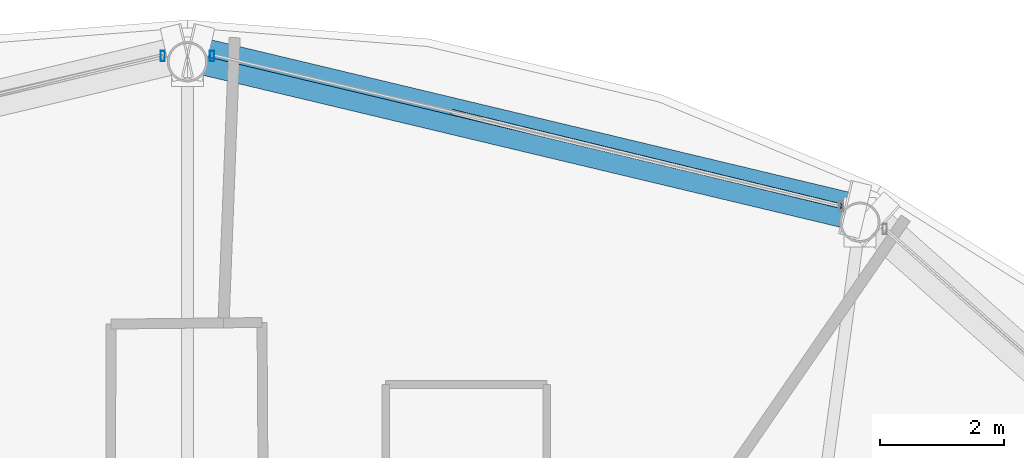
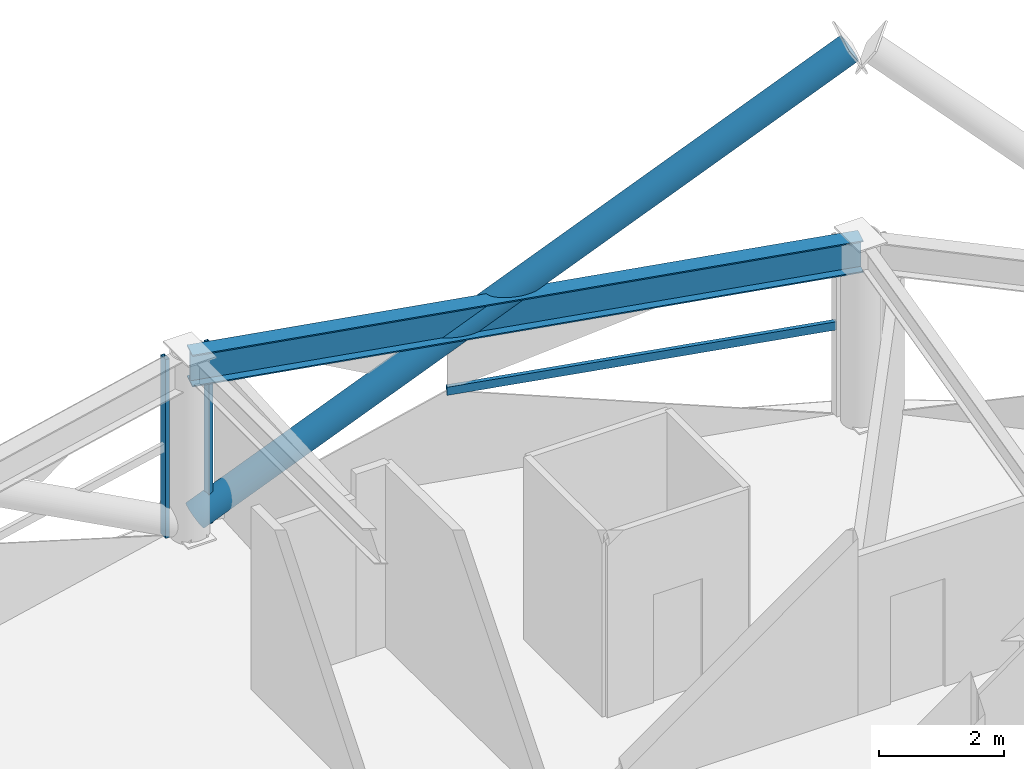
# One storey, part 18 of 29: 4 members, 1 beam, 2 elements without a shape of their own.
"""IFC4 building model written with IfcOpenShell, lengths in metres."""

from ifc_helpers import new_model, si_unit, direction, frame, origin, origin_2d, place, context, subcontext, project, spatial, hollow_rectangle, hollow_circle, i_section, extrude, material, layer, layer_set, material_profile, profile_set, type_object, element, aggregate, save


model = new_model("IFC4")

# Units and contexts
model_context = context("Model", 3, precision=1e-05, world=origin(), true_north=direction((0.0, 1.0)))
body_context = subcontext(model_context, "Body", "Model", "MODEL_VIEW")
ifc_project = project(units=[si_unit("LENGTHUNIT", "METRE"), si_unit("AREAUNIT", "SQUARE_METRE"), si_unit("VOLUMEUNIT", "CUBIC_METRE"), si_unit("PLANEANGLEUNIT", "RADIAN"), si_unit("MASSUNIT", "GRAM", prefix="KILO")], contexts=[model_context])

# Site, building, storey
site_placement = place(None, origin())
site = spatial("IfcSite", under=ifc_project, at=site_placement, CompositionType="ELEMENT")
building_placement = place(site_placement, origin())
building = spatial("IfcBuilding", under=site, at=building_placement, Name="Vantalir Tower", CompositionType="ELEMENT")
storey_placement = place(building_placement, frame((0.0, 0.0, 234.89990234375)))
storey = spatial("IfcBuildingStorey", under=building, at=storey_placement, Name="L59", CompositionType="ELEMENT", Elevation=234.89990234375)

# Beam
ifc_material_1 = material(Name="Steel S460", Category="steel")
ifc_material_profile_1 = material_profile(ifc_material_1, i_section(OverallWidth=0.306884765625, OverallDepth=0.6201171875, WebThickness=0.01416015625, FlangeThickness=0.023681640625, at=origin_2d()), Name="Steel S460")
ifc_profile_set_1 = profile_set([ifc_material_profile_1], Name="Steel S460")
beam_type = type_object("IfcBeamType", Name="BM-RG-610x305", PredefinedType="USERDEFINED", material=ifc_profile_set_1)
beam_placement = place(storey_placement, frame((42.35888671875, 41.742919921875, 3.260009765625), z_axis=(-0.97271250926, 0.23201373737, 0.0), x_axis=(-0.23201373737, -0.97271250926, 0.0)))
element("IfcBeam", 1, at=beam_placement, inside=storey, type_object=beam_type, Name="L59 Circumferential Ring Girder 03", ObjectType="GIRDER", PredefinedType="USERDEFINED", context=body_context, shape_type="SweptSolid", body=[
    extrude(i_section(OverallWidth=0.306884765625, OverallDepth=0.6201171875, WebThickness=0.01416015625, FlangeThickness=0.023681640625, at=origin_2d()), origin(), (0.0, 0.0, 1.0), 11.16357421875),
])

# Curtain wall, member
ifc_material_2 = material(Name="Champagne-silver PVDF aluminium and double-silver Low-E glass", Category="aluminium")
ifc_layer = layer(ifc_material_2, 0.2099609375)
ifc_layer_set = layer_set([ifc_layer], Name="Champagne-silver PVDF aluminium and double-silver Low-E glass")
curtain_wall_type = type_object("IfcCurtainWallType", Name="CW-DIAMOND-Z3", PredefinedType="USERDEFINED", material=ifc_layer_set)
curtain_wall_1_placement = place(storey_placement, origin())
curtain_wall_1 = element("IfcCurtainWall", 2, at=curtain_wall_1_placement, inside=storey, type_object=curtain_wall_type, Name="L59 Quilted Pyramid-Diamond Curtain Wall S03", ObjectType="UNITISED CURTAIN WALL", PredefinedType="USERDEFINED")
ifc_material_3 = material(Name="Champagne-silver PVDF aluminium 6063-T6", Category="aluminium")
ifc_material_profile_2 = material_profile(ifc_material_3, hollow_rectangle(XDim=0.070068359375, YDim=0.1650390625, WallThickness=0.00390625, at=origin_2d()), Name="Champagne-silver PVDF aluminium 6063-T6")
ifc_profile_set_2 = profile_set([ifc_material_profile_2], Name="Champagne-silver PVDF aluminium 6063-T6")
member_type_1 = type_object("IfcMemberType", Name="CWM-165x70", PredefinedType="MULLION", material=ifc_profile_set_2)
member_1_placement = place(storey_placement, frame((31.89892578125, 44.427978515625, 0.045166015625), z_axis=(0.0, 0.0, 1.0), x_axis=(1.0, 0.0, 0.0)))
member_1 = element("IfcMember", 3, at=member_1_placement, type_object=member_type_1, Name="CW-L59-S03 Mullion 2", PredefinedType="MULLION", context=body_context, shape_type="SweptSolid", body=[
    extrude(hollow_rectangle(XDim=0.070068359375, YDim=0.1650390625, WallThickness=0.00390625, at=origin_2d()), origin(), (0.0, 0.0, 1.0), 3.47998046875),
])

curtain_wall_2_placement = place(storey_placement, origin())
curtain_wall_2 = element("IfcCurtainWall", 4, at=curtain_wall_2_placement, inside=storey, type_object=curtain_wall_type, Name="L59 Quilted Pyramid-Diamond Curtain Wall S04", ObjectType="UNITISED CURTAIN WALL", PredefinedType="USERDEFINED")
member_2_placement = place(storey_placement, frame((31.10107421875, 44.427978515625, 0.045166015625), z_axis=(0.0, 0.0, 1.0), x_axis=(1.0, 0.0, 0.0)))
member_2 = element("IfcMember", 5, at=member_2_placement, type_object=member_type_1, Name="CW-L59-S04 Mullion 1", PredefinedType="MULLION", context=body_context, shape_type="SweptSolid", body=[
    extrude(hollow_rectangle(XDim=0.070068359375, YDim=0.1650390625, WallThickness=0.00390625, at=origin_2d()), origin(), (0.0, 0.0, 1.0), 3.47998046875),
])
aggregate(curtain_wall_2, [member_2])

# Member
ifc_material_profile_3 = material_profile(ifc_material_3, hollow_rectangle(XDim=0.074951171875, YDim=0.159912109375, WallThickness=0.00390625, at=origin_2d()), Name="Champagne-silver PVDF aluminium 6063-T6")
ifc_profile_set_3 = profile_set([ifc_material_profile_3], Name="Champagne-silver PVDF aluminium 6063-T6")
member_type_2 = type_object("IfcMemberType", Name="CWT-160x75", PredefinedType="USERDEFINED", material=ifc_profile_set_3)
member_3_placement = place(storey_placement, frame((42.054931640625, 42.001953125, 1.78515625), z_axis=(-0.971779150142, 0.235892524998, 0.0), x_axis=(-0.235892524998, -0.971779150142, 0.0)))
member_3 = element("IfcMember", 6, at=member_3_placement, type_object=member_type_2, Name="CW-L59-S03 Pyramid Fold Ridge Transom", ObjectType="TRANSOM", PredefinedType="USERDEFINED", context=body_context, shape_type="SweptSolid", body=[
    extrude(hollow_rectangle(XDim=0.074951171875, YDim=0.159912109375, WallThickness=0.00390625, at=origin_2d()), origin(), (0.0, 0.0, 1.0), 6.4736328125),
])

aggregate(curtain_wall_1, [member_1, member_3])

ifc_material_profile_4 = material_profile(ifc_material_1, hollow_circle(Radius=0.25, WallThickness=0.031982421875, at=origin_2d()), Name="Steel S460")
ifc_profile_set_4 = profile_set([ifc_material_profile_4], Name="Steel S460")
member_type_3 = type_object("IfcMemberType", Name="MEM-DB-500x32", PredefinedType="BRACE", material=ifc_profile_set_4)
member_4_placement = place(storey_placement, frame((31.680908203125, 44.47998046875, 0.197998046875), z_axis=(0.820779852359, -0.196052589835, 0.536548055612), x_axis=(0.232325647217, 0.972638058913, 0.0)))
element("IfcMember", 7, at=member_4_placement, inside=storey, type_object=member_type_3, Name="L59 Perimeter S460 Diagrid Brace R10R", PredefinedType="BRACE", context=body_context, shape_type="SweptSolid", body=[
    extrude(hollow_circle(Radius=0.25, WallThickness=0.031982421875, at=origin_2d()), origin(), (0.0, 0.0, 1.0), 12.90478515625),
])

save(model, "model.ifc")
